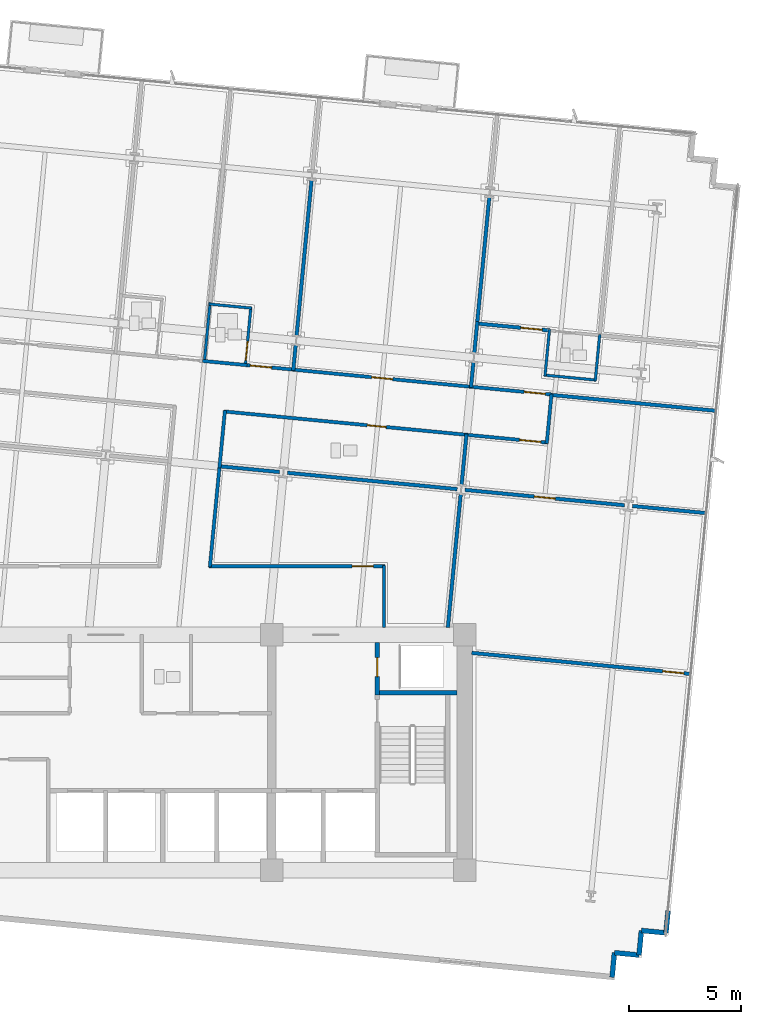
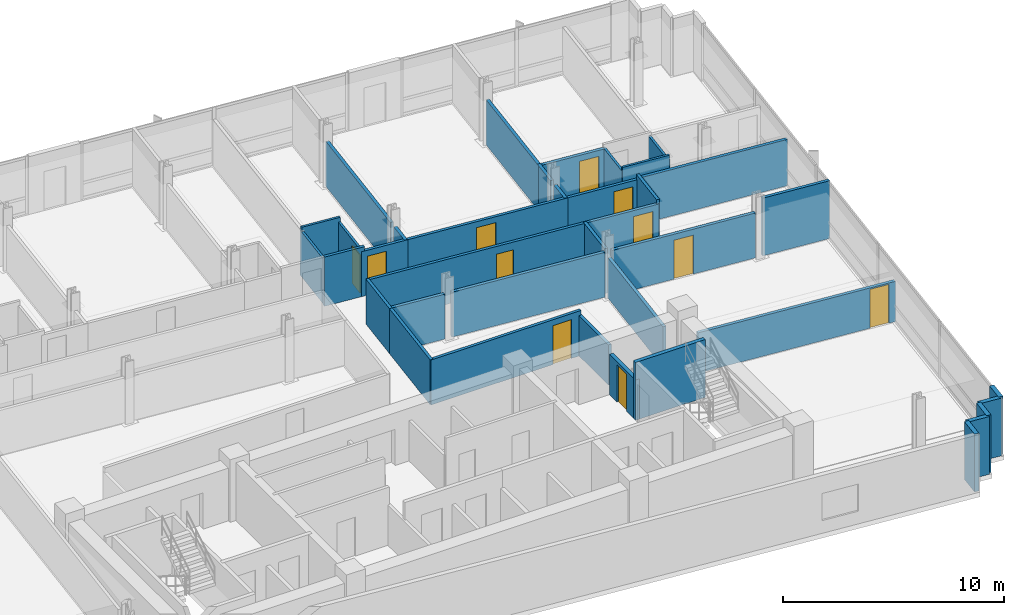
# One storey, part 12 of 17: 38 walls, 11 doors, 11 openings.
"""IFC4 building model written with IfcOpenShell, lengths in metres."""

from ifc_helpers import new_model, si_unit, direction, frame, frame_2d, origin, place, context, subcontext, project, spatial, rectangle, extrude, material, layer, layer_set, type_object, element, fill, save


model = new_model("IFC4")

# Units and contexts
model_context = context("Model", 3, precision=1e-05, world=origin(), true_north=direction((0.0, 1.0)))
body_context = subcontext(model_context, "Body", "Model", "MODEL_VIEW")
ifc_project = project(units=[si_unit("LENGTHUNIT", "METRE"), si_unit("AREAUNIT", "SQUARE_METRE"), si_unit("VOLUMEUNIT", "CUBIC_METRE"), si_unit("PLANEANGLEUNIT", "RADIAN"), si_unit("MASSUNIT", "GRAM", prefix="KILO")], contexts=[model_context])

# Site, building, storey
site_placement = place(None, origin())
site = spatial("IfcSite", under=ifc_project, at=site_placement, CompositionType="ELEMENT")
building_placement = place(site_placement, origin())
building = spatial("IfcBuilding", under=site, at=building_placement, Name="Solmavex Isthmus Hotel", CompositionType="ELEMENT")
storey_placement = place(building_placement, frame((0.0, 0.0, 173.85009765625)))
storey = spatial("IfcBuildingStorey", under=building, at=storey_placement, Name="L47", CompositionType="ELEMENT", Elevation=173.85009765625)

# Walls
ifc_material_1 = material(Name="Precast Concrete C40/50", Category="concrete")
ifc_layer_1 = layer(ifc_material_1, 0.25)
ifc_layer_set_1 = layer_set([ifc_layer_1], Name="Precast Concrete C40/50")
wall_type_1 = type_object("IfcWallType", Name="EW-TWR-250", PredefinedType="STANDARD", material=ifc_layer_set_1)
wall_1_placement = place(storey_placement, frame((25.0615234375, -14.804931640625, 0.0), z_axis=(0.0, 0.0, 1.0), x_axis=(-0.095914428506, -0.995389583231, 0.0)))
element("IfcWall", 1, at=wall_1_placement, inside=storey, type_object=wall_type_1, Name="Serrated Corner Facade Panel L47-21", PredefinedType="STANDARD", context=body_context, shape_type="SweptSolid", body=[
    extrude(rectangle(XDim=0.990234375, YDim=0.219970703125, at=frame_2d((0.4951171875, 0.0))), origin(), (0.0, 0.0, 1.0), 3.18994140625),
])
for number, where, z_axis, x_axis, name in (
    (2, (24.966552734375, -15.79052734375, 0.0), (0.0, 0.0, 1.0), (-0.995393156894, 0.095877334176, 0.0), "Serrated Corner Facade Panel L47-22"),
    (3, (23.87158203125, -15.68505859375, 0.0), (0.0, 0.0, 1.0), (-0.095877334176, -0.995393156894, 0.0), "Serrated Corner Facade Panel L47-23"),
    (4, (23.76611328125, -16.780029296875, 0.0), (0.0, 0.0, 1.0), (-0.995393156894, 0.095877334176, 0.0), "Serrated Corner Facade Panel L47-24"),
    (5, (22.671142578125, -16.674560546875, 0.0), (0.0, 0.0, 1.0), (-0.095657429048, -0.995414313875, 0.0), "Serrated Corner Facade Panel L47-25"),
):
    element("IfcWall", number, at=place(storey_placement, frame(where, z_axis=z_axis, x_axis=x_axis)), inside=storey, type_object=wall_type_1, Name=name, PredefinedType="STANDARD", context=body_context, shape_type="SweptSolid", body=[
        extrude(rectangle(XDim=1.10009765625, YDim=0.219970703125, at=frame_2d((0.550048828125, 0.0))), origin(), (0.0, 0.0, 1.0), 3.18994140625),
    ])
ifc_material_2 = material(Name="Gypsum plasterboard lining", Category="gypsum")
ifc_layer_2 = layer(ifc_material_2, 0.159912109375)
ifc_layer_set_2 = layer_set([ifc_layer_2], Name="Gypsum plasterboard lining")
wall_type_2 = type_object("IfcWallType", Name="IW-COMP-160", PredefinedType="PARTITIONING", material=ifc_layer_set_2)
wall_2_placement = place(storey_placement, frame((8.469970703125, 10.433349609375, 0.0), z_axis=(0.0, 0.0, 1.0), x_axis=(-0.095831494917, -0.995397571115, 0.0)))
element("IfcWall", 6, at=wall_2_placement, inside=storey, type_object=wall_type_2, Name="Interior Partition Wall W-L47-P047", PredefinedType="PARTITIONING", context=body_context, shape_type="SweptSolid", body=[
    extrude(rectangle(XDim=1.171875, YDim=0.159912109375, at=frame_2d((0.5859375, 0.0))), origin(), (0.0, 0.0, 1.0), 2.4794921875),
])
wall_3_placement = place(storey_placement, frame((9.178466796875, 17.791259765625, 0.0), z_axis=(0.0, 0.0, 1.0), x_axis=(-0.095853155488, -0.995395485515, 0.0)))
element("IfcWall", 7, at=wall_3_placement, inside=storey, type_object=wall_type_2, Name="Interior Partition Wall W-L47-P048", PredefinedType="PARTITIONING", context=body_context, shape_type="SweptSolid", body=[
    extrude(rectangle(XDim=7.0400390625, YDim=0.159912109375, at=frame_2d((3.52001953125, 0.0))), origin(), (0.0, 0.0, 1.0), 2.4794921875),
])
wall_4_placement = place(storey_placement, frame((16.389404296875, 9.6708984375, 0.0), z_axis=(0.0, 0.0, 1.0), x_axis=(-0.095811626391, -0.995399483749, 0.0)))
element("IfcWall", 8, at=wall_4_placement, inside=storey, type_object=wall_type_2, Name="Interior Partition Wall W-L47-P050", PredefinedType="PARTITIONING", context=body_context, shape_type="SweptSolid", body=[
    extrude(rectangle(XDim=1.172119140625, YDim=0.159912109375, at=frame_2d((0.5859375, 0.0))), origin(), (0.0, 0.0, 1.0), 2.4794921875),
])
wall_5_placement = place(storey_placement, frame((16.56005859375, 11.442626953125, 0.0), z_axis=(0.0, 0.0, 1.0), x_axis=(-0.095914386544, -0.995389587274, 0.0)))
element("IfcWall", 9, at=wall_5_placement, inside=storey, type_object=wall_type_2, Name="Interior Partition Wall W-L47-P051", PredefinedType="PARTITIONING", context=body_context, shape_type="SweptSolid", body=[
    extrude(rectangle(XDim=1.427978515625, YDim=0.159912109375, at=frame_2d((0.7138671875, 0.0))), origin(), (0.0, 0.0, 1.0), 2.4794921875),
])
wall_6_placement = place(storey_placement, frame((17.097900390625, 17.02880859375, 0.0), z_axis=(0.0, 0.0, 1.0), x_axis=(-0.095862207393, -0.995394613806, 0.0)))
element("IfcWall", 10, at=wall_6_placement, inside=storey, type_object=wall_type_2, Name="Interior Partition Wall W-L47-P052", PredefinedType="PARTITIONING", context=body_context, shape_type="SweptSolid", body=[
    extrude(rectangle(XDim=5.776123046875, YDim=0.159912109375, at=frame_2d((2.88818359375, 0.0))), origin(), (0.0, 0.0, 1.0), 2.4794921875),
])

# Wall, opening, door
wall_7_placement = place(storey_placement, frame((16.512451171875, 11.36474609375, 0.0), z_axis=(0.0, 0.0, 1.0), x_axis=(0.995395926563, -0.095848575269, 0.0)))
wall_7 = element("IfcWall", 11, at=wall_7_placement, inside=storey, type_object=wall_type_2, Name="Interior Partition Wall W-L47-P054", PredefinedType="PARTITIONING", context=body_context, shape_type="SweptSolid", body=[
    extrude(rectangle(XDim=3.313720703125, YDim=0.159912109375, at=frame_2d((1.65673828125, 0.0))), origin(), (0.0, 0.0, 1.0), 2.4794921875),
])
opening_1_placement = place(wall_7_placement, frame((1.9970703125, 0.0, 0.0)))
opening_1 = element("IfcOpeningElement", 12, at=opening_1_placement, cuts=wall_7, Name="Opening ID-C095", PredefinedType="OPENING", context=body_context, shape_type="SweptSolid", body=[
    extrude(rectangle(XDim=0.949951171875, YDim=2.14990234375, at=frame_2d((0.47509765625, 1.074951171875))), frame((0.0, 0.08984375, 0.0), z_axis=(0.0, -1.0, 0.0), x_axis=(1.0, 0.0, 0.0)), (0.0, 0.0, 1.0), 0.179931640625),
])
ifc_material_3 = material(Name="Hardwood timber", Category="wood")
door_type_1 = type_object("IfcDoorType", Name="IDR-FD60-0950", OperationType="NOTDEFINED", PredefinedType="DOOR", material=ifc_material_3)
door_1_placement = place(opening_1_placement, origin())
door_1 = element("IfcDoor", 13, at=door_1_placement, inside=storey, type_object=door_type_1, Name="Ambassador Panorama Suite Master Bedroom Door L47-12", OperationType="SINGLE_SWING_RIGHT", OverallHeight=2.14990234375, OverallWidth=0.949951171875, PredefinedType="DOOR", context=body_context, shape_type="SweptSolid", body=[
    extrude(rectangle(XDim=0.949951171875, YDim=2.14990234375, at=frame_2d((0.47509765625, 1.074951171875))), frame((0.0, 0.02490234375, 0.0), z_axis=(0.0, -1.0, 0.0), x_axis=(1.0, 0.0, 0.0)), (0.0, 0.0, 1.0), 0.050048828125),
])
fill(opening_1, door_1)

# Walls
wall_8_placement = place(storey_placement, frame((27.236328125, 7.468994140625, 0.0), z_axis=(0.0, 0.0, 1.0), x_axis=(-0.995396228159, 0.095845443117, 0.0)))
element("IfcWall", 14, at=wall_8_placement, inside=storey, type_object=wall_type_2, Name="Interior Partition Wall W-L47-P059", PredefinedType="PARTITIONING", context=body_context, shape_type="SweptSolid", body=[
    extrude(rectangle(XDim=7.447998046875, YDim=0.159912109375, at=frame_2d((3.72412109375, 0.0))), origin(), (0.0, 0.0, 1.0), 2.557373046875),
])
wall_9_placement = place(storey_placement, frame((16.07861328125, 6.44384765625, 0.0), z_axis=(0.0, 0.0, 1.0), x_axis=(-0.095794827695, -0.995401100555, 0.0)))
element("IfcWall", 15, at=wall_9_placement, inside=storey, type_object=wall_type_2, Name="Interior Partition Wall W-L47-P062", PredefinedType="PARTITIONING", context=body_context, shape_type="SweptSolid", body=[
    extrude(rectangle(XDim=2.314208984375, YDim=0.159912109375, at=frame_2d((1.1572265625, 0.0))), origin(), (0.0, 0.0, 1.0), 2.4794921875),
])
wall_10_placement = place(storey_placement, frame((7.745361328125, 4.74462890625, 0.0), z_axis=(0.0, 0.0, 1.0), x_axis=(-0.995392910691, 0.095879890208, 0.0)))
element("IfcWall", 16, at=wall_10_placement, inside=storey, type_object=wall_type_2, Name="Interior Partition Wall W-L47-P063", PredefinedType="PARTITIONING", context=body_context, shape_type="SweptSolid", body=[
    extrude(rectangle(XDim=2.721923828125, YDim=0.159912109375, at=frame_2d((1.36083984375, 0.0))), origin(), (0.0, 0.0, 1.0), 2.4794921875),
])
wall_11_placement = place(storey_placement, frame((15.664794921875, 3.982177734375, 0.0), z_axis=(0.0, 0.0, 1.0), x_axis=(-0.995396667246, 0.095840882902, 0.0)))
element("IfcWall", 17, at=wall_11_placement, inside=storey, type_object=wall_type_2, Name="Interior Partition Wall W-L47-P064", PredefinedType="PARTITIONING", context=body_context, shape_type="SweptSolid", body=[
    extrude(rectangle(XDim=7.603759765625, YDim=0.159912109375, at=frame_2d((3.8017578125, 0.0))), origin(), (0.0, 0.0, 1.0), 2.4794921875),
])

# Wall, opening, door
wall_12_placement = place(storey_placement, frame((23.118408203125, 3.264404296875, 0.0), z_axis=(0.0, 0.0, 1.0), x_axis=(-0.995397927648, 0.095827791557, 0.0)))
wall_12 = element("IfcWall", 18, at=wall_12_placement, inside=storey, type_object=wall_type_2, Name="Interior Partition Wall W-L47-P068", PredefinedType="PARTITIONING", context=body_context, shape_type="SweptSolid", body=[
    extrude(rectangle(XDim=7.13623046875, YDim=0.159912109375, at=frame_2d((3.568115234375, 0.0))), origin(), (0.0, 0.0, 1.0), 2.4794921875),
])
opening_2_placement = place(wall_12_placement, frame((3.093017578125, 0.0, 0.0)))
opening_2 = element("IfcOpeningElement", 19, at=opening_2_placement, cuts=wall_12, Name="Opening ID-C095", PredefinedType="OPENING", context=body_context, shape_type="SweptSolid", body=[
    extrude(rectangle(XDim=0.949951171875, YDim=2.14990234375, at=frame_2d((0.47509765625, 1.074951171875))), frame((0.0, 0.08984375, 0.0), z_axis=(0.0, -1.0, 0.0), x_axis=(1.0, 0.0, 0.0)), (0.0, 0.0, 1.0), 0.179931640625),
])
door_2_placement = place(opening_2_placement, origin())
door_2 = element("IfcDoor", 20, at=door_2_placement, inside=storey, type_object=door_type_1, Name="Corporate Briefing Office Door L47-20", OperationType="SINGLE_SWING_RIGHT", OverallHeight=2.14990234375, OverallWidth=0.949951171875, PredefinedType="DOOR", context=body_context, shape_type="SweptSolid", body=[
    extrude(rectangle(XDim=0.949951171875, YDim=2.14990234375, at=frame_2d((0.47509765625, 1.074951171875))), frame((0.0, 0.02490234375, 0.0), z_axis=(0.0, -1.0, 0.0), x_axis=(1.0, 0.0, 0.0)), (0.0, 0.0, 1.0), 0.050048828125),
])
fill(opening_2, door_2)

# Walls
wall_13_placement = place(storey_placement, frame((26.79736328125, 2.91015625, 0.0), z_axis=(0.0, 0.0, 1.0), x_axis=(-0.995394839216, 0.095859866796, 0.0)))
element("IfcWall", 21, at=wall_13_placement, inside=storey, type_object=wall_type_2, Name="Interior Partition Wall W-L47-P069", PredefinedType="PARTITIONING", context=body_context, shape_type="SweptSolid", body=[
    extrude(rectangle(XDim=3.343994140625, YDim=0.159912109375, at=frame_2d((1.671875, 0.0))), origin(), (0.0, 0.0, 1.0), 3.18994140625),
])
wall_14_placement = place(storey_placement, frame((15.8232421875, 3.7900390625, 0.0), z_axis=(0.0, 0.0, 1.0), x_axis=(-0.095865726078, -0.99539427493, 0.0)))
element("IfcWall", 22, at=wall_14_placement, inside=storey, type_object=wall_type_2, Name="Interior Partition Wall W-L47-P073", PredefinedType="PARTITIONING", context=body_context, shape_type="SweptSolid", body=[
    extrude(rectangle(XDim=6.007568359375, YDim=0.159912109375, at=frame_2d((3.00390625, 0.0))), origin(), (0.0, 0.0, 1.0), 2.224853515625),
])

# Wall, opening, door
wall_15_placement = place(storey_placement, frame((26.107177734375, -4.256591796875, 0.0), z_axis=(0.0, 0.0, 1.0), x_axis=(-0.995396158646, 0.095846165043, 0.0)))
wall_15 = element("IfcWall", 23, at=wall_15_placement, inside=storey, type_object=wall_type_2, Name="Interior Partition Wall W-L47-P074", PredefinedType="PARTITIONING", context=body_context, shape_type="SweptSolid", body=[
    extrude(rectangle(XDim=9.842529296875, YDim=0.159912109375, at=frame_2d((4.92138671875, 0.0))), origin(), (0.0, 0.0, 1.0), 2.224853515625),
])
opening_3_placement = place(wall_15_placement, frame((0.345947265625, 0.0, 0.0)))
opening_3 = element("IfcOpeningElement", 24, at=opening_3_placement, cuts=wall_15, Name="Opening ID-C095", PredefinedType="OPENING", context=body_context, shape_type="SweptSolid", body=[
    extrude(rectangle(XDim=0.949951171875, YDim=2.14990234375, at=frame_2d((0.47509765625, 1.074951171875))), frame((0.0, 0.08984375, 0.0), z_axis=(0.0, -1.0, 0.0), x_axis=(1.0, 0.0, 0.0)), (0.0, 0.0, 1.0), 0.179931640625),
])
door_3_placement = place(opening_3_placement, origin())
door_3 = element("IfcDoor", 25, at=door_3_placement, inside=storey, type_object=door_type_1, Name="Corporate Briefing Office Door L47-21", OperationType="SINGLE_SWING_LEFT", OverallHeight=2.14990234375, OverallWidth=0.949951171875, PredefinedType="DOOR", context=body_context, shape_type="SweptSolid", body=[
    extrude(rectangle(XDim=0.949951171875, YDim=2.14990234375, at=frame_2d((0.47509765625, 1.074951171875))), frame((0.0, 0.02490234375, 0.0), z_axis=(0.0, -1.0, 0.0), x_axis=(1.0, 0.0, 0.0)), (0.0, 0.0, 1.0), 0.050048828125),
])
fill(opening_3, door_3)

ifc_layer_3 = layer(ifc_material_2, 0.14990234375)
ifc_layer_set_3 = layer_set([ifc_layer_3], Name="Gypsum plasterboard lining")
wall_type_3 = type_object("IfcWallType", Name="IW-CORR-150", PredefinedType="PARTITIONING", material=ifc_layer_set_3)
wall_16_placement = place(storey_placement, frame((6.1416015625, 9.520263671875, 0.0), z_axis=(0.0, 0.0, 1.0), x_axis=(0.995403417039, -0.095770754137, 0.0)))
wall_16 = element("IfcWall", 26, at=wall_16_placement, inside=storey, type_object=wall_type_3, Name="Interior Partition Wall W-L47-P008", PredefinedType="PARTITIONING", context=body_context, shape_type="SweptSolid", body=[
    extrude(rectangle(XDim=2.312255859375, YDim=0.14990234375, at=frame_2d((1.15625, 0.0))), origin(), (0.0, 0.0, 1.0), 2.4794921875),
])
opening_4_placement = place(wall_16_placement, frame((0.30615234375, 0.0, 0.0)))
opening_4 = element("IfcOpeningElement", 27, at=opening_4_placement, cuts=wall_16, Name="Opening ID-C095", PredefinedType="OPENING", context=body_context, shape_type="SweptSolid", body=[
    extrude(rectangle(XDim=0.949951171875, YDim=2.14990234375, at=frame_2d((0.47509765625, 1.074951171875))), frame((0.0, 0.0849609375, 0.0), z_axis=(0.0, -1.0, 0.0), x_axis=(1.0, 0.0, 0.0)), (0.0, 0.0, 1.0), 0.169921875),
])
door_4_placement = place(opening_4_placement, frame((0.949951171875, 0.0, 0.0), z_axis=(0.0, 0.0, 1.0), x_axis=(-1.0, 0.0, 0.0)))
door_4 = element("IfcDoor", 28, at=door_4_placement, inside=storey, type_object=door_type_1, Name="Spa Corner Suite Door L47-08", OperationType="SINGLE_SWING_RIGHT", OverallHeight=2.14990234375, OverallWidth=0.949951171875, PredefinedType="DOOR", context=body_context, shape_type="SweptSolid", body=[
    extrude(rectangle(XDim=0.949951171875, YDim=2.14990234375, at=frame_2d((0.47509765625, 1.074951171875))), frame((0.0, 0.02490234375, 0.0), z_axis=(0.0, -1.0, 0.0), x_axis=(1.0, 0.0, 0.0)), (0.0, 0.0, 1.0), 0.050048828125),
])
fill(opening_4, door_4)

# Wall
wall_17_placement = place(storey_placement, frame((4.3203125, 9.69580078125, 0.0), z_axis=(0.0, 0.0, 1.0), x_axis=(0.995393086543, -0.095878064554, 0.0)))
element("IfcWall", 29, at=wall_17_placement, inside=storey, type_object=wall_type_3, Name="Interior Partition Wall W-L47-P009", PredefinedType="PARTITIONING", context=body_context, shape_type="SweptSolid", body=[
    extrude(rectangle(XDim=1.993896484375, YDim=0.14990234375, at=frame_2d((0.9970703125, 0.0))), origin(), (0.0, 0.0, 1.0), 2.718017578125),
])

# Wall, opening, door
wall_18_placement = place(storey_placement, frame((8.280029296875, 9.314453125, 0.0), z_axis=(0.0, 0.0, 1.0), x_axis=(0.995395467524, -0.095853342309, 0.0)))
wall_18 = element("IfcWall", 30, at=wall_18_placement, inside=storey, type_object=wall_type_3, Name="Interior Partition Wall W-L47-P010", PredefinedType="PARTITIONING", context=body_context, shape_type="SweptSolid", body=[
    extrude(rectangle(XDim=8.119873046875, YDim=0.14990234375, at=frame_2d((4.06005859375, 0.0))), origin(), (0.0, 0.0, 1.0), 2.4794921875),
])
opening_5_placement = place(wall_18_placement, frame((3.5849609375, 0.0, 0.0)))
opening_5 = element("IfcOpeningElement", 31, at=opening_5_placement, cuts=wall_18, Name="Opening ID-C095", PredefinedType="OPENING", context=body_context, shape_type="SweptSolid", body=[
    extrude(rectangle(XDim=0.949951171875, YDim=2.14990234375, at=frame_2d((0.47509765625, 1.074951171875))), frame((0.0, 0.0849609375, 0.0), z_axis=(0.0, -1.0, 0.0), x_axis=(1.0, 0.0, 0.0)), (0.0, 0.0, 1.0), 0.169921875),
])
door_5_placement = place(opening_5_placement, frame((0.949951171875, 0.0, 0.0), z_axis=(0.0, 0.0, 1.0), x_axis=(-1.0, 0.0, 0.0)))
door_5 = element("IfcDoor", 32, at=door_5_placement, inside=storey, type_object=door_type_1, Name="Wellness Hydrotherapy Lounge Door L47-10", OperationType="SINGLE_SWING_RIGHT", OverallHeight=2.14990234375, OverallWidth=0.949951171875, PredefinedType="DOOR", context=body_context, shape_type="SweptSolid", body=[
    extrude(rectangle(XDim=0.949951171875, YDim=2.14990234375, at=frame_2d((0.47509765625, 1.074951171875))), frame((0.0, 0.02490234375, 0.0), z_axis=(0.0, -1.0, 0.0), x_axis=(1.0, 0.0, 0.0)), (0.0, 0.0, 1.0), 0.050048828125),
])
fill(opening_5, door_5)

wall_19_placement = place(storey_placement, frame((16.19921875, 8.552001953125, 0.0), z_axis=(0.0, 0.0, 1.0), x_axis=(0.995391104887, -0.095898635608, 0.0)))
wall_19 = element("IfcWall", 33, at=wall_19_placement, inside=storey, type_object=wall_type_3, Name="Interior Partition Wall W-L47-P011", PredefinedType="PARTITIONING", context=body_context, shape_type="SweptSolid", body=[
    extrude(rectangle(XDim=3.721923828125, YDim=0.14990234375, at=frame_2d((1.86083984375, 0.0))), origin(), (0.0, 0.0, 1.0), 2.4794921875),
])
opening_6_placement = place(wall_19_placement, frame((2.456787109375, 0.0, 0.0)))
opening_6 = element("IfcOpeningElement", 34, at=opening_6_placement, cuts=wall_19, Name="Opening ID-C095", PredefinedType="OPENING", context=body_context, shape_type="SweptSolid", body=[
    extrude(rectangle(XDim=0.949951171875, YDim=2.14990234375, at=frame_2d((0.47509765625, 1.074951171875))), frame((0.0, 0.0849609375, 0.0), z_axis=(0.0, -1.0, 0.0), x_axis=(1.0, 0.0, 0.0)), (0.0, 0.0, 1.0), 0.169921875),
])
door_6_placement = place(opening_6_placement, frame((0.949951171875, 0.0, 0.0), z_axis=(0.0, 0.0, 1.0), x_axis=(-1.0, 0.0, 0.0)))
door_6 = element("IfcDoor", 35, at=door_6_placement, inside=storey, type_object=door_type_1, Name="Ambassador Panorama Suite Living Salon Door L47-11", OperationType="SINGLE_SWING_LEFT", OverallHeight=2.14990234375, OverallWidth=0.949951171875, PredefinedType="DOOR", context=body_context, shape_type="SweptSolid", body=[
    extrude(rectangle(XDim=0.949951171875, YDim=2.14990234375, at=frame_2d((0.47509765625, 1.074951171875))), frame((0.0, 0.02490234375, 0.0), z_axis=(0.0, -1.0, 0.0), x_axis=(1.0, 0.0, 0.0)), (0.0, 0.0, 1.0), 0.050048828125),
])
fill(opening_6, door_6)

wall_20_placement = place(storey_placement, frame((16.156494140625, 6.39599609375, 0.0), z_axis=(0.0, 0.0, 1.0), x_axis=(-0.99539478422, 0.095860437863, 0.0)))
wall_20 = element("IfcWall", 36, at=wall_20_placement, inside=storey, type_object=wall_type_3, Name="Interior Partition Wall W-L47-P012", PredefinedType="PARTITIONING", context=body_context, shape_type="SweptSolid", body=[
    extrude(rectangle(XDim=10.93603515625, YDim=0.14990234375, at=frame_2d((5.468017578125, 0.0))), origin(), (0.0, 0.0, 1.0), 2.4794921875),
])
opening_7_placement = place(wall_20_placement, frame((3.675048828125, 0.0, 0.0)))
opening_7 = element("IfcOpeningElement", 37, at=opening_7_placement, cuts=wall_20, Name="Opening ID-R085", PredefinedType="OPENING", context=body_context, shape_type="SweptSolid", body=[
    extrude(rectangle(XDim=0.85009765625, YDim=2.050048828125, at=frame_2d((0.425048828125, 1.02490234375))), frame((0.0, 0.0849609375, 0.0), z_axis=(0.0, -1.0, 0.0), x_axis=(1.0, 0.0, 0.0)), (0.0, 0.0, 1.0), 0.169921875),
])
ifc_material_4 = material(Name="Steel ASTM A500 Grade C", Category="steel")
door_type_2 = type_object("IfcDoorType", Name="IDR-FD60-0850", OperationType="NOTDEFINED", PredefinedType="DOOR", material=ifc_material_4)
door_7_placement = place(opening_7_placement, frame((0.85009765625, 0.0, 0.0), z_axis=(0.0, 0.0, 1.0), x_axis=(-1.0, 0.0, 0.0)))
door_7 = element("IfcDoor", 38, at=door_7_placement, inside=storey, type_object=door_type_2, Name="Accessible Public Restroom WC Door L47-15", OperationType="SINGLE_SWING_LEFT", OverallHeight=2.050048828125, OverallWidth=0.85009765625, PredefinedType="DOOR", context=body_context, shape_type="SweptSolid", body=[
    extrude(rectangle(XDim=0.85009765625, YDim=2.050048828125, at=frame_2d((0.425048828125, 1.02490234375))), frame((0.0, 0.02490234375, 0.0), z_axis=(0.0, -1.0, 0.0), x_axis=(1.0, 0.0, 0.0)), (0.0, 0.0, 1.0), 0.050048828125),
])
fill(opening_7, door_7)

# Walls
wall_21_placement = place(storey_placement, frame((5.314453125, 7.480224609375, 0.0), z_axis=(0.0, 0.0, 1.0), x_axis=(-0.09587519517, -0.995393362923, 0.0)))
element("IfcWall", 39, at=wall_21_placement, inside=storey, type_object=wall_type_3, Name="Interior Partition Wall W-L47-P013", PredefinedType="PARTITIONING", context=body_context, shape_type="SweptSolid", body=[
    extrude(rectangle(XDim=2.572021484375, YDim=0.14990234375, at=frame_2d((1.2861328125, 0.0))), origin(), (0.0, 0.0, 1.0), 2.4794921875),
])
wall_22_placement = place(storey_placement, frame((19.8662109375, 8.218994140625, 0.0), z_axis=(0.0, 0.0, 1.0), x_axis=(-0.095773447772, -0.995403157872, 0.0)))
element("IfcWall", 40, at=wall_22_placement, inside=storey, type_object=wall_type_3, Name="Interior Partition Wall W-L47-P016", PredefinedType="PARTITIONING", context=body_context, shape_type="SweptSolid", body=[
    extrude(rectangle(XDim=2.210205078125, YDim=0.14990234375, at=frame_2d((1.10498046875, 0.0))), origin(), (0.0, 0.0, 1.0), 2.718017578125),
])

# Wall, opening, door
wall_23_placement = place(storey_placement, frame((19.697998046875, 6.05517578125, 0.0), z_axis=(0.0, 0.0, 1.0), x_axis=(-0.995397364202, 0.095833644092, 0.0)))
wall_23 = element("IfcWall", 41, at=wall_23_placement, inside=storey, type_object=wall_type_3, Name="Interior Partition Wall W-L47-P017", PredefinedType="PARTITIONING", context=body_context, shape_type="SweptSolid", body=[
    extrude(rectangle(XDim=3.721923828125, YDim=0.14990234375, at=frame_2d((1.86083984375, 0.0))), origin(), (0.0, 0.0, 1.0), 2.4794921875),
])
opening_8_placement = place(wall_23_placement, frame((0.315185546875, 0.0, 0.0)))
opening_8 = element("IfcOpeningElement", 42, at=opening_8_placement, cuts=wall_23, Name="Opening ID-C095", PredefinedType="OPENING", context=body_context, shape_type="SweptSolid", body=[
    extrude(rectangle(XDim=0.949951171875, YDim=2.14990234375, at=frame_2d((0.47509765625, 1.074951171875))), frame((0.0, 0.0849609375, 0.0), z_axis=(0.0, -1.0, 0.0), x_axis=(1.0, 0.0, 0.0)), (0.0, 0.0, 1.0), 0.169921875),
])
door_8_placement = place(opening_8_placement, frame((0.949951171875, 0.0, 0.0), z_axis=(0.0, 0.0, 1.0), x_axis=(-1.0, 0.0, 0.0)))
door_8 = element("IfcDoor", 43, at=door_8_placement, inside=storey, type_object=door_type_1, Name="Wellness Reading Library Door L47-17", OperationType="SINGLE_SWING_LEFT", OverallHeight=2.14990234375, OverallWidth=0.949951171875, PredefinedType="DOOR", context=body_context, shape_type="SweptSolid", body=[
    extrude(rectangle(XDim=0.949951171875, YDim=2.14990234375, at=frame_2d((0.47509765625, 1.074951171875))), frame((0.0, 0.02490234375, 0.0), z_axis=(0.0, -1.0, 0.0), x_axis=(1.0, 0.0, 0.0)), (0.0, 0.0, 1.0), 0.050048828125),
])
fill(opening_8, door_8)

# Wall
wall_24_placement = place(storey_placement, frame((5.083740234375, 5.083251953125, 0.0), z_axis=(0.0, 0.0, 1.0), x_axis=(-0.095867331855, -0.995394120277, 0.0)))
element("IfcWall", 44, at=wall_24_placement, inside=storey, type_object=wall_type_3, Name="Interior Partition Wall W-L47-P020", PredefinedType="PARTITIONING", context=body_context, shape_type="SweptSolid", body=[
    extrude(rectangle(XDim=4.59423828125, YDim=0.14990234375, at=frame_2d((2.297119140625, 0.0))), origin(), (0.0, 0.0, 1.0), 2.4794921875),
])

# Wall, opening, door
wall_25_placement = place(storey_placement, frame((4.607177734375, 0.550048828125, 0.0), z_axis=(0.0, 0.0, 1.0), x_axis=(1.0, 0.0, 0.0)))
wall_25 = element("IfcWall", 45, at=wall_25_placement, inside=storey, type_object=wall_type_3, Name="Interior Partition Wall W-L47-P021", PredefinedType="PARTITIONING", context=body_context, shape_type="SweptSolid", body=[
    extrude(rectangle(XDim=7.832763671875, YDim=0.14990234375, at=frame_2d((3.91650390625, 0.0))), origin(), (0.0, 0.0, 1.0), 2.4794921875),
])
opening_9_placement = place(wall_25_placement, frame((6.3720703125, 0.0, 0.0)))
opening_9 = element("IfcOpeningElement", 46, at=opening_9_placement, cuts=wall_25, Name="Opening ID-C095", PredefinedType="OPENING", context=body_context, shape_type="SweptSolid", body=[
    extrude(rectangle(XDim=0.949951171875, YDim=2.14990234375, at=frame_2d((0.47509765625, 1.074951171875))), frame((0.0, 0.0849609375, 0.0), z_axis=(0.0, -1.0, 0.0), x_axis=(1.0, 0.0, 0.0)), (0.0, 0.0, 1.0), 0.169921875),
])
door_9_placement = place(opening_9_placement, origin())
door_9 = element("IfcDoor", 47, at=door_9_placement, inside=storey, type_object=door_type_1, Name="Wellness Reading Library Door L47-19", OperationType="SINGLE_SWING_LEFT", OverallHeight=2.14990234375, OverallWidth=0.949951171875, PredefinedType="DOOR", context=body_context, shape_type="SweptSolid", body=[
    extrude(rectangle(XDim=0.949951171875, YDim=2.14990234375, at=frame_2d((0.47509765625, 1.074951171875))), frame((0.0, 0.02490234375, 0.0), z_axis=(0.0, -1.0, 0.0), x_axis=(1.0, 0.0, 0.0)), (0.0, 0.0, 1.0), 0.050048828125),
])
fill(opening_9, door_9)

# Walls
wall_26_placement = place(storey_placement, frame((12.39990234375, 0.590087890625, 0.0), z_axis=(0.0, 0.0, 1.0), x_axis=(0.0, -1.0, 0.0)))
element("IfcWall", 48, at=wall_26_placement, inside=storey, type_object=wall_type_3, Name="Interior Partition Wall W-L47-P022", PredefinedType="PARTITIONING", context=body_context, shape_type="SweptSolid", body=[
    extrude(rectangle(XDim=2.780029296875, YDim=0.14990234375, at=frame_2d((1.39013671875, 0.0))), origin(), (0.0, 0.0, 1.0), 2.224853515625),
])
ifc_layer_4 = layer(ifc_material_2, 0.1201171875)
ifc_layer_set_4 = layer_set([ifc_layer_4], Name="Gypsum plasterboard lining")
wall_type_4 = type_object("IfcWallType", Name="IW-PART-120", PredefinedType="PARTITIONING", material=ifc_layer_set_4)
wall_27_placement = place(storey_placement, frame((4.654052734375, 12.307861328125, 0.0), z_axis=(0.0, 0.0, 1.0), x_axis=(-0.095839490098, -0.99539680135, 0.0)))
element("IfcWall", 49, at=wall_27_placement, inside=storey, type_object=wall_type_4, Name="Interior Partition Wall W-L47-P044", PredefinedType="PARTITIONING", context=body_context, shape_type="SweptSolid", body=[
    extrude(rectangle(XDim=2.672119140625, YDim=0.1201171875, at=frame_2d((1.3359375, 0.0))), origin(), (0.0, 0.0, 1.0), 2.4794921875),
])

# Wall, opening, door
wall_28_placement = place(storey_placement, frame((6.219482421875, 9.47265625, 0.0), z_axis=(0.0, 0.0, 1.0), x_axis=(0.095799078022, 0.995400691506, 0.0)))
wall_28 = element("IfcWall", 50, at=wall_28_placement, inside=storey, type_object=wall_type_4, Name="Interior Partition Wall W-L47-P045", PredefinedType="PARTITIONING", context=body_context, shape_type="SweptSolid", body=[
    extrude(rectangle(XDim=2.630126953125, YDim=0.1201171875, at=frame_2d((1.31494140625, 0.0))), origin(), (0.0, 0.0, 1.0), 2.4794921875),
])
opening_10_placement = place(wall_28_placement, frame((0.247314453125, 0.0, 0.0)))
opening_10 = element("IfcOpeningElement", 51, at=opening_10_placement, cuts=wall_28, Name="Opening ID-U085", PredefinedType="OPENING", context=body_context, shape_type="SweptSolid", body=[
    extrude(rectangle(XDim=0.85009765625, YDim=2.10009765625, at=frame_2d((0.425048828125, 1.050048828125))), frame((0.0, 0.070068359375, 0.0), z_axis=(0.0, -1.0, 0.0), x_axis=(1.0, 0.0, 0.0)), (0.0, 0.0, 1.0), 0.14013671875),
])
door_type_3 = type_object("IfcDoorType", Name="IDR-UNR-0850", OperationType="NOTDEFINED", PredefinedType="DOOR", material=ifc_material_3)
door_10_placement = place(opening_10_placement, origin())
door_10 = element("IfcDoor", 52, at=door_10_placement, inside=storey, type_object=door_type_3, Name="En-suite Bathroom Door L47-09", OperationType="SINGLE_SWING_LEFT", OverallHeight=2.10009765625, OverallWidth=0.85009765625, PredefinedType="DOOR", context=body_context, shape_type="SweptSolid", body=[
    extrude(rectangle(XDim=0.85009765625, YDim=2.10009765625, at=frame_2d((0.425048828125, 1.050048828125))), frame((0.0, 0.02490234375, 0.0), z_axis=(0.0, -1.0, 0.0), x_axis=(1.0, 0.0, 0.0)), (0.0, 0.0, 1.0), 0.050048828125),
])
fill(opening_10, door_10)

# Walls
wall_29_placement = place(storey_placement, frame((6.507568359375, 12.046875, 0.0), z_axis=(0.0, 0.0, 1.0), x_axis=(-0.995393793358, 0.095870726213, 0.0)))
element("IfcWall", 53, at=wall_29_placement, inside=storey, type_object=wall_type_4, Name="Interior Partition Wall W-L47-P046", PredefinedType="PARTITIONING", context=body_context, shape_type="SweptSolid", body=[
    extrude(rectangle(XDim=1.909912109375, YDim=0.1201171875, at=frame_2d((0.955078125, 0.0))), origin(), (0.0, 0.0, 1.0), 2.718017578125),
])
wall_30_placement = place(storey_placement, frame((19.775146484375, 11.0908203125, 0.0), z_axis=(0.0, 0.0, 1.0), x_axis=(-0.095900283372, -0.995390946136, 0.0)))
element("IfcWall", 54, at=wall_30_placement, inside=storey, type_object=wall_type_4, Name="Interior Partition Wall W-L47-P056", PredefinedType="PARTITIONING", context=body_context, shape_type="SweptSolid", body=[
    extrude(rectangle(XDim=2.079833984375, YDim=0.1201171875, at=frame_2d((1.0400390625, 0.0))), origin(), (0.0, 0.0, 1.0), 2.4794921875),
])
wall_31_placement = place(storey_placement, frame((19.539794921875, 9.064208984375, 0.0), z_axis=(0.0, 0.0, 1.0), x_axis=(0.995393658532, -0.095872126059, 0.0)))
element("IfcWall", 55, at=wall_31_placement, inside=storey, type_object=wall_type_4, Name="Interior Partition Wall W-L47-P057", PredefinedType="PARTITIONING", context=body_context, shape_type="SweptSolid", body=[
    extrude(rectangle(XDim=2.330078125, YDim=0.1201171875, at=frame_2d((1.1650390625, 0.0))), origin(), (0.0, 0.0, 1.0), 2.718017578125),
])
wall_32_placement = place(storey_placement, frame((21.8154296875, 8.8046875, 0.0), z_axis=(0.0, 0.0, 1.0), x_axis=(0.095772789588, 0.9954032212, 0.0)))
element("IfcWall", 56, at=wall_32_placement, inside=storey, type_object=wall_type_4, Name="Interior Partition Wall W-L47-P058", PredefinedType="PARTITIONING", context=body_context, shape_type="SweptSolid", body=[
    extrude(rectangle(XDim=2.080078125, YDim=0.1201171875, at=frame_2d((1.0400390625, 0.0))), origin(), (0.0, 0.0, 1.0), 2.4794921875),
])

# Wall, opening, door
ifc_material_5 = material(Name="Concrete C40/50", Category="concrete")
ifc_layer_5 = layer(ifc_material_5, 0.199951171875)
ifc_layer_set_5 = layer_set([ifc_layer_5], Name="Concrete C40/50")
wall_type_5 = type_object("IfcWallType", Name="IW-SHAFT-200", PredefinedType="PARTITIONING", material=ifc_layer_set_5)
wall_33_placement = place(storey_placement, frame((12.10009765625, -5.199951171875, 0.0), z_axis=(0.0, 0.0, 1.0), x_axis=(0.0, 1.0, 0.0)))
wall_33 = element("IfcWall", 57, at=wall_33_placement, inside=storey, type_object=wall_type_5, Name="Interior Partition Wall W-L47-RSE-W", PredefinedType="PARTITIONING", context=body_context, shape_type="SweptSolid", body=[
    extrude(rectangle(XDim=2.349853515625, YDim=0.199951171875, at=frame_2d((1.1748046875, 0.0))), origin(), (0.0, 0.0, 1.0), 2.224853515625),
])
opening_11_placement = place(wall_33_placement, frame((0.824951171875, 0.0, 0.0)))
opening_11 = element("IfcOpeningElement", 58, at=opening_11_placement, cuts=wall_33, Name="Opening ID-R085", PredefinedType="OPENING", context=body_context, shape_type="SweptSolid", body=[
    extrude(rectangle(XDim=0.85009765625, YDim=2.050048828125, at=frame_2d((0.425048828125, 1.02490234375))), frame((0.0, 0.10986328125, 0.0), z_axis=(0.0, -1.0, 0.0), x_axis=(1.0, 0.0, 0.0)), (0.0, 0.0, 1.0), 0.219970703125),
])
door_11_placement = place(opening_11_placement, frame((0.85009765625, 0.0, 0.0), z_axis=(0.0, 0.0, 1.0), x_axis=(-1.0, 0.0, 0.0)))
door_11 = element("IfcDoor", 59, at=door_11_placement, inside=storey, type_object=door_type_2, Name="Mechanical Riser Door L47", OperationType="SINGLE_SWING_LEFT", OverallHeight=2.050048828125, OverallWidth=0.85009765625, PredefinedType="DOOR", context=body_context, shape_type="SweptSolid", body=[
    extrude(rectangle(XDim=0.85009765625, YDim=2.050048828125, at=frame_2d((0.425048828125, 1.02490234375))), frame((0.0, 0.02490234375, 0.0), z_axis=(0.0, -1.0, 0.0), x_axis=(1.0, 0.0, 0.0)), (0.0, 0.0, 1.0), 0.050048828125),
])
fill(opening_11, door_11)

# Wall
ifc_layer_6 = layer(ifc_material_5, 0.199951171875)
ifc_layer_set_6 = layer_set([ifc_layer_6], Name="Concrete C40/50")
wall_type_6 = type_object("IfcWallType", Name="WALL-SW-200", PredefinedType="SOLIDWALL", material=ifc_layer_set_6)
wall_34_placement = place(storey_placement, frame((12.0, -5.10009765625, 0.0), z_axis=(0.0, 0.0, 1.0), x_axis=(1.0, 0.0, 0.0)))
element("IfcWall", 60, at=wall_34_placement, inside=storey, type_object=wall_type_6, Name="Stairwell Structural Wall SW-L47-ST2-N", PredefinedType="SOLIDWALL", context=body_context, shape_type="SweptSolid", body=[
    extrude(rectangle(XDim=3.64990234375, YDim=0.199951171875, at=frame_2d((1.824951171875, 0.0))), origin(), (0.0, 0.0, 1.0), 3.18994140625),
])

save(model, "model.ifc")
